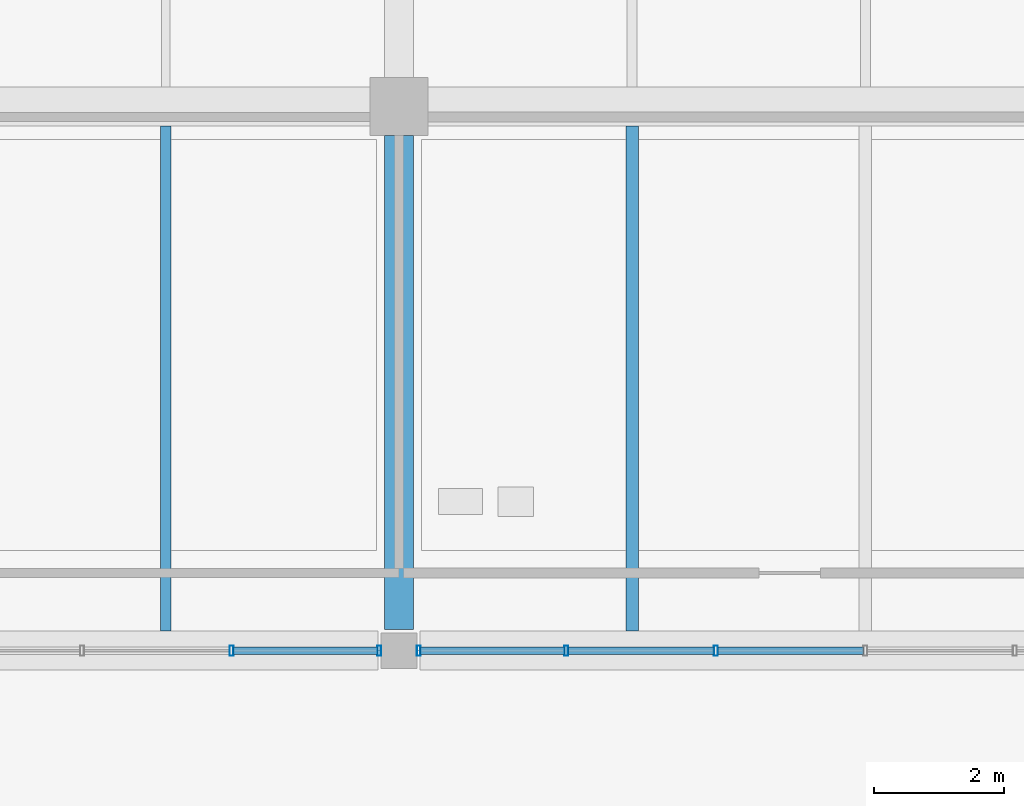
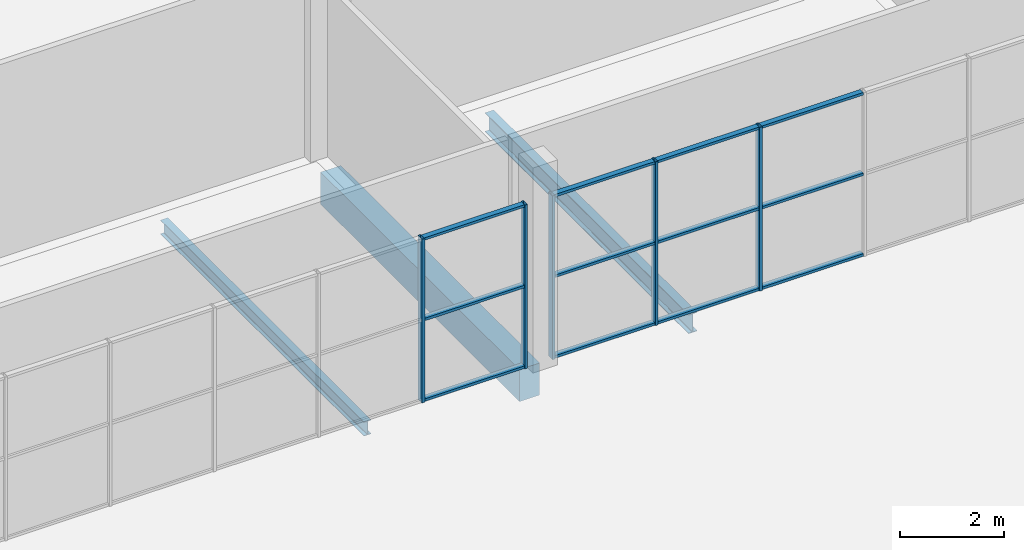
# One storey, part 25 of 130: 17 members, 3 beams, 2 elements without a shape of their own.
"""IFC4 building model written with IfcOpenShell, lengths in metres."""

from ifc_helpers import new_model, si_unit, direction, frame, origin, origin_2d, place, context, subcontext, project, spatial, rectangle, hollow_rectangle, i_section, extrude, material, material_profile, profile_set, type_object, element, aggregate, save


model = new_model("IFC4")

# Units and contexts
model_context = context("Model", 3, precision=1e-05, world=origin(), true_north=direction((0.0, 1.0)))
body_context = subcontext(model_context, "Body", "Model", "MODEL_VIEW")
ifc_project = project(units=[si_unit("LENGTHUNIT", "METRE"), si_unit("AREAUNIT", "SQUARE_METRE"), si_unit("VOLUMEUNIT", "CUBIC_METRE"), si_unit("PLANEANGLEUNIT", "RADIAN"), si_unit("MASSUNIT", "GRAM", prefix="KILO"), si_unit("THERMODYNAMICTEMPERATUREUNIT", "KELVIN")], contexts=[model_context])

# Site, building, storey
site_placement = place(None, origin())
site = spatial("IfcSite", under=ifc_project, at=site_placement, CompositionType="ELEMENT")
building_placement = place(site_placement, origin())
building = spatial("IfcBuilding", under=site, at=building_placement, Name="Nduvali Passage Aquatics Centre", CompositionType="ELEMENT")
storey_placement = place(building_placement, origin())
storey = spatial("IfcBuildingStorey", under=building, at=storey_placement, Name="L00", CompositionType="ELEMENT", Elevation=0.0)

# Curtain wall, members
ifc_material_1 = material(Name="Aluminium EN AW-6063 T6", Category="aluminium")
curtain_wall_type = type_object("IfcCurtainWallType", Name="ENV-CW-COUR", PredefinedType="NOTDEFINED", material=ifc_material_1)
curtain_wall_1_placement = place(storey_placement, origin())
curtain_wall_1 = element("IfcCurtainWall", 1, at=curtain_wall_1_placement, inside=storey, type_object=curtain_wall_type, Name="L00 Monsoon Courtyard Cloister CW 163", PredefinedType="NOTDEFINED")
ifc_material_profile_1 = material_profile(ifc_material_1, hollow_rectangle(XDim=0.06005859375, YDim=0.159912109375, WallThickness=0.00390625, at=origin_2d()), Name="ALU MULLION 60x160x4")
ifc_profile_set_1 = profile_set([ifc_material_profile_1], Name="Aluminium EN AW-6063 T6")
member_type_1 = type_object("IfcMemberType", Name="ENV-MEM-MUL60", PredefinedType="MULLION", material=ifc_profile_set_1)
member_1_placement = place(storey_placement, frame((80.216796875, 16.800048828125, 0.0), z_axis=(0.0, 0.0, 1.0), x_axis=(1.0, 0.0, 0.0)))
member_1 = element("IfcMember", 2, at=member_1_placement, type_object=member_type_1, Name="Monsoon Courtyard Cloister CW Mullion 6", PredefinedType="MULLION", context=body_context, shape_type="SweptSolid", body=[
    extrude(hollow_rectangle(XDim=0.06005859375, YDim=0.159912109375, WallThickness=0.00390625, at=origin_2d()), origin(), (0.0, 0.0, 1.0), 3.83251953125),
])
member_2_placement = place(storey_placement, frame((82.4951171875, 16.800048828125, 0.0), z_axis=(0.0, 0.0, 1.0), x_axis=(1.0, 0.0, 0.0)))
member_2 = element("IfcMember", 3, at=member_2_placement, type_object=member_type_1, Name="Monsoon Courtyard Cloister CW Mullion 7", PredefinedType="MULLION", context=body_context, shape_type="SweptSolid", body=[
    extrude(hollow_rectangle(XDim=0.06005859375, YDim=0.159912109375, WallThickness=0.00390625, at=origin_2d()), origin(), (0.0, 0.0, 1.0), 3.83251953125),
])

curtain_wall_2_placement = place(storey_placement, origin())
curtain_wall_2 = element("IfcCurtainWall", 4, at=curtain_wall_2_placement, inside=storey, type_object=curtain_wall_type, Name="L00 Monsoon Courtyard Cloister CW 165", PredefinedType="NOTDEFINED")
member_3_placement = place(storey_placement, frame((83.10498046875, 16.800048828125, 0.0), z_axis=(0.0, 0.0, 1.0), x_axis=(1.0, 0.0, 0.0)))
member_3 = element("IfcMember", 5, at=member_3_placement, type_object=member_type_1, Name="Monsoon Courtyard Cloister CW Mullion 1", PredefinedType="MULLION", context=body_context, shape_type="SweptSolid", body=[
    extrude(hollow_rectangle(XDim=0.06005859375, YDim=0.159912109375, WallThickness=0.00390625, at=origin_2d()), origin(), (0.0, 0.0, 1.0), 3.83251953125),
])
member_4_placement = place(storey_placement, frame((85.38330078125, 16.800048828125, 0.0), z_axis=(0.0, 0.0, 1.0), x_axis=(1.0, 0.0, 0.0)))
member_4 = element("IfcMember", 6, at=member_4_placement, type_object=member_type_1, Name="Monsoon Courtyard Cloister CW Mullion 2", PredefinedType="MULLION", context=body_context, shape_type="SweptSolid", body=[
    extrude(hollow_rectangle(XDim=0.06005859375, YDim=0.159912109375, WallThickness=0.00390625, at=origin_2d()), origin(), (0.0, 0.0, 1.0), 3.83251953125),
])
member_5_placement = place(storey_placement, frame((87.691650390625, 16.800048828125, 0.0), z_axis=(0.0, 0.0, 1.0), x_axis=(1.0, 0.0, 0.0)))
member_5 = element("IfcMember", 7, at=member_5_placement, type_object=member_type_1, Name="Monsoon Courtyard Cloister CW Mullion 3", PredefinedType="MULLION", context=body_context, shape_type="SweptSolid", body=[
    extrude(hollow_rectangle(XDim=0.06005859375, YDim=0.159912109375, WallThickness=0.00390625, at=origin_2d()), origin(), (0.0, 0.0, 1.0), 3.83251953125),
])

# Member
ifc_material_profile_2 = material_profile(ifc_material_1, hollow_rectangle(XDim=0.1201171875, YDim=0.06005859375, WallThickness=0.00390625, at=origin_2d()), Name="ALU TRANSOM 120x60x4")
ifc_profile_set_2 = profile_set([ifc_material_profile_2], Name="Aluminium EN AW-6063 T6")
member_type_2 = type_object("IfcMemberType", Name="ENV-MEM-TRN60", PredefinedType="USERDEFINED", material=ifc_profile_set_2)
member_6_placement = place(storey_placement, frame((80.24658203125, 16.800048828125, 0.030029296875), z_axis=(1.0, 0.0, 0.0), x_axis=(0.0, 1.0, 0.0)))
member_6 = element("IfcMember", 8, at=member_6_placement, type_object=member_type_2, Name="Monsoon Courtyard Cloister CW Transom B6-R0", ObjectType="TRANSOM", PredefinedType="USERDEFINED", context=body_context, shape_type="SweptSolid", body=[
    extrude(hollow_rectangle(XDim=0.1201171875, YDim=0.06005859375, WallThickness=0.00390625, at=origin_2d()), origin(), (0.0, 0.0, 1.0), 2.218505859375),
])

member_7_placement = place(storey_placement, frame((80.24658203125, 16.800048828125, 1.916259765625), z_axis=(1.0, 0.0, 0.0), x_axis=(0.0, 1.0, 0.0)))
member_7 = element("IfcMember", 9, at=member_7_placement, type_object=member_type_2, Name="Monsoon Courtyard Cloister CW Transom B6-R1", ObjectType="TRANSOM", PredefinedType="USERDEFINED", context=body_context, shape_type="SweptSolid", body=[
    extrude(hollow_rectangle(XDim=0.1201171875, YDim=0.06005859375, WallThickness=0.00390625, at=origin_2d()), origin(), (0.0, 0.0, 1.0), 2.218505859375),
])

member_8_placement = place(storey_placement, frame((80.24658203125, 16.800048828125, 3.802490234375), z_axis=(1.0, 0.0, 0.0), x_axis=(0.0, 1.0, 0.0)))
member_8 = element("IfcMember", 10, at=member_8_placement, type_object=member_type_2, Name="Monsoon Courtyard Cloister CW Transom B6-R2", ObjectType="TRANSOM", PredefinedType="USERDEFINED", context=body_context, shape_type="SweptSolid", body=[
    extrude(hollow_rectangle(XDim=0.1201171875, YDim=0.06005859375, WallThickness=0.00390625, at=origin_2d()), origin(), (0.0, 0.0, 1.0), 2.218505859375),
])

aggregate(curtain_wall_1, [member_1, member_2, member_6, member_7, member_8])

member_9_placement = place(storey_placement, frame((83.135009765625, 16.800048828125, 0.030029296875), z_axis=(1.0, 0.0, 0.0), x_axis=(0.0, 1.0, 0.0)))
member_9 = element("IfcMember", 11, at=member_9_placement, type_object=member_type_2, Name="Monsoon Courtyard Cloister CW Transom B1-R0", ObjectType="TRANSOM", PredefinedType="USERDEFINED", context=body_context, shape_type="SweptSolid", body=[
    extrude(hollow_rectangle(XDim=0.1201171875, YDim=0.06005859375, WallThickness=0.00390625, at=origin_2d()), origin(), (0.0, 0.0, 1.0), 2.21826171875),
])

member_10_placement = place(storey_placement, frame((83.135009765625, 16.800048828125, 1.916259765625), z_axis=(1.0, 0.0, 0.0), x_axis=(0.0, 1.0, 0.0)))
member_10 = element("IfcMember", 12, at=member_10_placement, type_object=member_type_2, Name="Monsoon Courtyard Cloister CW Transom B1-R1", ObjectType="TRANSOM", PredefinedType="USERDEFINED", context=body_context, shape_type="SweptSolid", body=[
    extrude(hollow_rectangle(XDim=0.1201171875, YDim=0.06005859375, WallThickness=0.00390625, at=origin_2d()), origin(), (0.0, 0.0, 1.0), 2.21826171875),
])

member_11_placement = place(storey_placement, frame((83.135009765625, 16.800048828125, 3.802490234375), z_axis=(1.0, 0.0, 0.0), x_axis=(0.0, 1.0, 0.0)))
member_11 = element("IfcMember", 13, at=member_11_placement, type_object=member_type_2, Name="Monsoon Courtyard Cloister CW Transom B1-R2", ObjectType="TRANSOM", PredefinedType="USERDEFINED", context=body_context, shape_type="SweptSolid", body=[
    extrude(hollow_rectangle(XDim=0.1201171875, YDim=0.06005859375, WallThickness=0.00390625, at=origin_2d()), origin(), (0.0, 0.0, 1.0), 2.21826171875),
])

member_12_placement = place(storey_placement, frame((85.413330078125, 16.800048828125, 0.030029296875), z_axis=(1.0, 0.0, 0.0), x_axis=(0.0, 1.0, 0.0)))
member_12 = element("IfcMember", 14, at=member_12_placement, type_object=member_type_2, Name="Monsoon Courtyard Cloister CW Transom B2-R0", ObjectType="TRANSOM", PredefinedType="USERDEFINED", context=body_context, shape_type="SweptSolid", body=[
    extrude(hollow_rectangle(XDim=0.1201171875, YDim=0.06005859375, WallThickness=0.00390625, at=origin_2d()), origin(), (0.0, 0.0, 1.0), 2.248291015625),
])

member_13_placement = place(storey_placement, frame((85.413330078125, 16.800048828125, 1.916259765625), z_axis=(1.0, 0.0, 0.0), x_axis=(0.0, 1.0, 0.0)))
member_13 = element("IfcMember", 15, at=member_13_placement, type_object=member_type_2, Name="Monsoon Courtyard Cloister CW Transom B2-R1", ObjectType="TRANSOM", PredefinedType="USERDEFINED", context=body_context, shape_type="SweptSolid", body=[
    extrude(hollow_rectangle(XDim=0.1201171875, YDim=0.06005859375, WallThickness=0.00390625, at=origin_2d()), origin(), (0.0, 0.0, 1.0), 2.248291015625),
])

member_14_placement = place(storey_placement, frame((85.413330078125, 16.800048828125, 3.802490234375), z_axis=(1.0, 0.0, 0.0), x_axis=(0.0, 1.0, 0.0)))
member_14 = element("IfcMember", 16, at=member_14_placement, type_object=member_type_2, Name="Monsoon Courtyard Cloister CW Transom B2-R2", ObjectType="TRANSOM", PredefinedType="USERDEFINED", context=body_context, shape_type="SweptSolid", body=[
    extrude(hollow_rectangle(XDim=0.1201171875, YDim=0.06005859375, WallThickness=0.00390625, at=origin_2d()), origin(), (0.0, 0.0, 1.0), 2.248291015625),
])

member_15_placement = place(storey_placement, frame((87.7216796875, 16.800048828125, 0.030029296875), z_axis=(1.0, 0.0, 0.0), x_axis=(0.0, 1.0, 0.0)))
member_15 = element("IfcMember", 17, at=member_15_placement, type_object=member_type_2, Name="Monsoon Courtyard Cloister CW Transom B3-R0", ObjectType="TRANSOM", PredefinedType="USERDEFINED", context=body_context, shape_type="SweptSolid", body=[
    extrude(hollow_rectangle(XDim=0.1201171875, YDim=0.06005859375, WallThickness=0.00390625, at=origin_2d()), origin(), (0.0, 0.0, 1.0), 2.248291015625),
])

member_16_placement = place(storey_placement, frame((87.7216796875, 16.800048828125, 1.916259765625), z_axis=(1.0, 0.0, 0.0), x_axis=(0.0, 1.0, 0.0)))
member_16 = element("IfcMember", 18, at=member_16_placement, type_object=member_type_2, Name="Monsoon Courtyard Cloister CW Transom B3-R1", ObjectType="TRANSOM", PredefinedType="USERDEFINED", context=body_context, shape_type="SweptSolid", body=[
    extrude(hollow_rectangle(XDim=0.1201171875, YDim=0.06005859375, WallThickness=0.00390625, at=origin_2d()), origin(), (0.0, 0.0, 1.0), 2.248291015625),
])

member_17_placement = place(storey_placement, frame((87.7216796875, 16.800048828125, 3.802490234375), z_axis=(1.0, 0.0, 0.0), x_axis=(0.0, 1.0, 0.0)))
member_17 = element("IfcMember", 19, at=member_17_placement, type_object=member_type_2, Name="Monsoon Courtyard Cloister CW Transom B3-R2", ObjectType="TRANSOM", PredefinedType="USERDEFINED", context=body_context, shape_type="SweptSolid", body=[
    extrude(hollow_rectangle(XDim=0.1201171875, YDim=0.06005859375, WallThickness=0.00390625, at=origin_2d()), origin(), (0.0, 0.0, 1.0), 2.248291015625),
])

aggregate(curtain_wall_2, [member_3, member_4, member_5, member_9, member_10, member_11, member_12, member_13, member_14, member_15, member_16, member_17])

# Beams
ifc_material_2 = material(Name="Concrete C40/50", Category="concrete")
ifc_material_profile_3 = material_profile(ifc_material_2, rectangle(XDim=0.449951171875, YDim=0.75, at=origin_2d()), Name="RC 450x750")
ifc_profile_set_3 = profile_set([ifc_material_profile_3], Name="Concrete C40/50")
beam_type_1 = type_object("IfcBeamType", Name="STR-BM-RC4575", PredefinedType="BEAM", material=ifc_profile_set_3)
beam_1_placement = place(storey_placement, frame((82.800048828125, 17.125, -0.675048828125), z_axis=(0.0, 1.0, 0.0), x_axis=(-1.0, 0.0, 0.0)))
element("IfcBeam", 20, at=beam_1_placement, inside=storey, type_object=beam_type_1, Name="L00 Primary Y-Girder B3-0161", PredefinedType="BEAM", context=body_context, shape_type="SweptSolid", body=[
    extrude(rectangle(XDim=0.449951171875, YDim=0.75, at=origin_2d()), origin(), (0.0, 0.0, 1.0), 7.625),
])
ifc_material_3 = material(Name="Steel S355", Category="steel")
ifc_material_profile_4 = material_profile(ifc_material_3, i_section(OverallWidth=0.159912109375, OverallDepth=0.330078125, WebThickness=0.007568359375, FlangeThickness=0.011474609375, FilletRadius=0.01806640625, at=origin_2d()), Name="IPE 330")
ifc_profile_set_4 = profile_set([ifc_material_profile_4], Name="Steel S355")
beam_type_2 = type_object("IfcBeamType", Name="STR-JST-IPE330", PredefinedType="JOIST", material=ifc_profile_set_4)
beam_2_placement = place(storey_placement, frame((79.199951171875, 17.10009765625, -0.468994140625), z_axis=(0.0, 1.0, 0.0), x_axis=(-1.0, 0.0, 0.0)))
element("IfcBeam", 21, at=beam_2_placement, inside=storey, type_object=beam_type_2, Name="L00 Secondary Joist J6A-0281", PredefinedType="JOIST", context=body_context, shape_type="SweptSolid", body=[
    extrude(i_section(OverallWidth=0.159912109375, OverallDepth=0.330078125, WebThickness=0.007568359375, FlangeThickness=0.011474609375, FilletRadius=0.01806640625, at=origin_2d()), origin(), (0.0, 0.0, 1.0), 7.7998046875),
])
ifc_material_profile_5 = material_profile(ifc_material_3, i_section(OverallWidth=0.18994140625, OverallDepth=0.449951171875, WebThickness=0.009521484375, FlangeThickness=0.0146484375, FilletRadius=0.02099609375, at=origin_2d()), Name="IPE 450")
ifc_profile_set_5 = profile_set([ifc_material_profile_5], Name="Steel S355")
beam_type_3 = type_object("IfcBeamType", Name="STR-JST-IPE450", PredefinedType="JOIST", material=ifc_profile_set_5)
beam_3_placement = place(storey_placement, frame((86.39990234375, 17.10009765625, -0.529052734375), z_axis=(0.0, 1.0, 0.0), x_axis=(-1.0, 0.0, 0.0)))
element("IfcBeam", 22, at=beam_3_placement, inside=storey, type_object=beam_type_3, Name="L00 Secondary Joist J5B-0282", PredefinedType="JOIST", context=body_context, shape_type="SweptSolid", body=[
    extrude(i_section(OverallWidth=0.18994140625, OverallDepth=0.449951171875, WebThickness=0.009521484375, FlangeThickness=0.0146484375, FilletRadius=0.02099609375, at=origin_2d()), origin(), (0.0, 0.0, 1.0), 7.7998046875),
])

save(model, "model.ifc")
